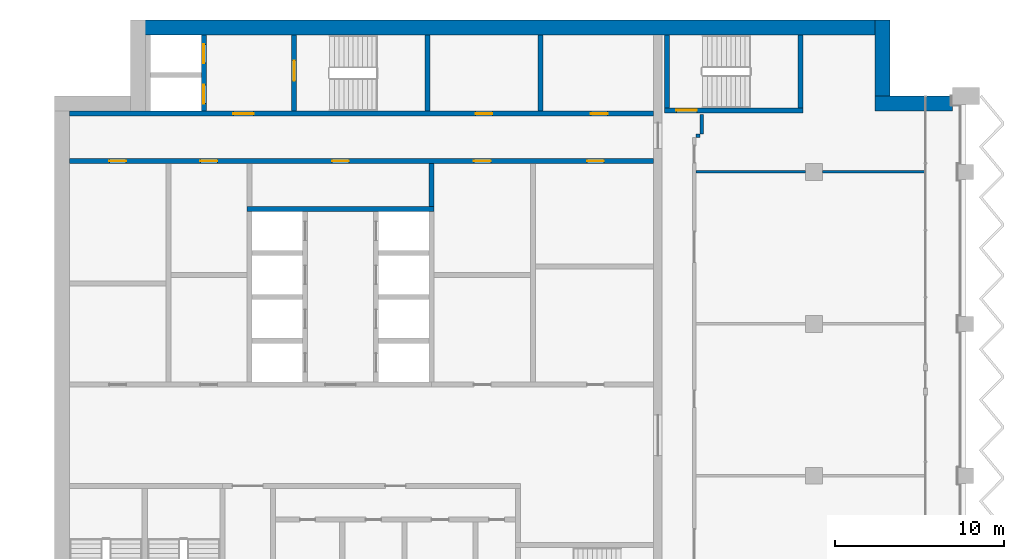
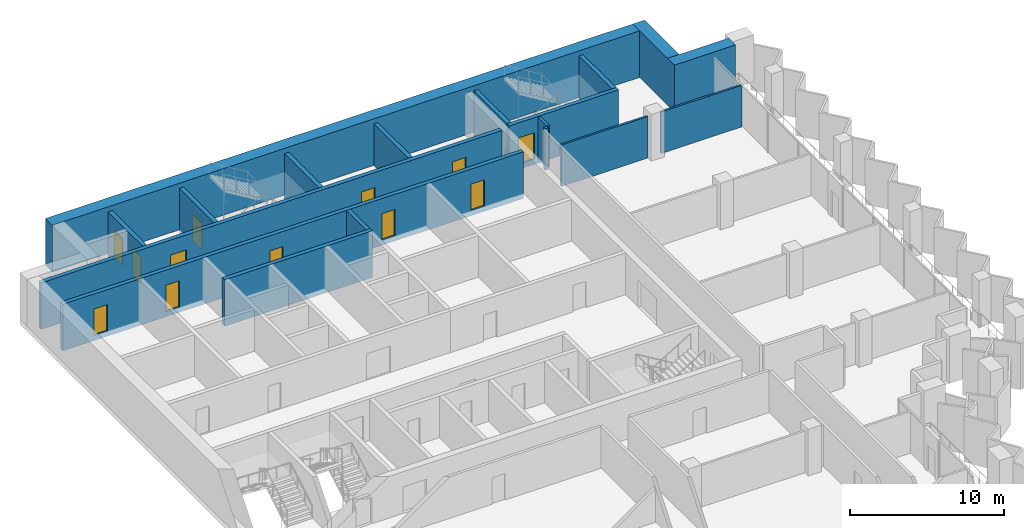
# One storey, part 9 of 15: 18 walls, 12 doors, 12 openings.
"""IFC4 building model written with IfcOpenShell, lengths in metres."""

from ifc_helpers import new_model, si_unit, direction, frame, frame_2d, origin, place, context, subcontext, project, spatial, rectangle, extrude, material, layer, layer_set, type_object, element, fill, save


model = new_model("IFC4")

# Units and contexts
model_context = context("Model", 3, precision=1e-05, world=origin(), true_north=direction((0.0, 1.0)))
body_context = subcontext(model_context, "Body", "Model", "MODEL_VIEW")
ifc_project = project(units=[si_unit("LENGTHUNIT", "METRE"), si_unit("AREAUNIT", "SQUARE_METRE"), si_unit("VOLUMEUNIT", "CUBIC_METRE"), si_unit("PLANEANGLEUNIT", "RADIAN"), si_unit("MASSUNIT", "GRAM", prefix="KILO")], contexts=[model_context])

# Site, building, storey
site_placement = place(None, origin())
site = spatial("IfcSite", under=ifc_project, at=site_placement, CompositionType="ELEMENT")
building_placement = place(site_placement, origin())
building = spatial("IfcBuilding", under=site, at=building_placement, Name="Hunhe Ridgeline Campus", CompositionType="ELEMENT")
storey_placement = place(building_placement, frame((0.0, 0.0, 231.800048828125)))
storey = spatial("IfcBuildingStorey", under=building, at=storey_placement, Name="L59", CompositionType="ELEMENT", Elevation=231.800048828125)

# Walls
ifc_material_1 = material(Name="Masonry concrete blockwork", Category="masonry")
ifc_layer_1 = layer(ifc_material_1, 0.300048828125)
ifc_layer_set_1 = layer_set([ifc_layer_1], Name="Core room partition 300 concrete block")
wall_type_1 = type_object("IfcWallType", Name="Core room partition 300 concrete block", PredefinedType="PARTITIONING", material=ifc_layer_set_1)
wall_1_placement = place(storey_placement, frame((22.35009765625, 87.949951171875, 0.0), z_axis=(0.0, 0.0, 1.0), x_axis=(0.0, 1.0, 0.0)))
element("IfcWall", 1, at=wall_1_placement, inside=storey, type_object=wall_type_1, Name="L59 core partition 44", PredefinedType="PARTITIONING", context=body_context, shape_type="SweptSolid", body=[
    extrude(rectangle(XDim=2.550048828125, YDim=0.300048828125, at=frame_2d((1.27490234375, 0.0))), origin(), (0.0, 0.0, 1.0), 3.300048828125),
])
wall_2_placement = place(storey_placement, frame((28.800048828125, 93.60009765625, 0.0), z_axis=(0.0, 0.0, 1.0), x_axis=(0.0, 1.0, 0.0)))
element("IfcWall", 2, at=wall_2_placement, inside=storey, type_object=wall_type_1, Name="L59 core partition 50", PredefinedType="PARTITIONING", context=body_context, shape_type="SweptSolid", body=[
    extrude(rectangle(XDim=4.5, YDim=0.300048828125, at=frame_2d((2.25, 0.0))), origin(), (0.0, 0.0, 1.0), 3.300048828125),
])
ifc_material_2 = material(Name="Gypsum board partition")
ifc_layer_2 = layer(ifc_material_2, 0.199951171875)
ifc_layer_set_2 = layer_set([ifc_layer_2], Name="Corridor partition 200 gypsum board on steel studs")
wall_type_2 = type_object("IfcWallType", Name="Corridor partition 200 gypsum board on steel studs", PredefinedType="PARTITIONING", material=ifc_layer_set_2)
wall_3_placement = place(storey_placement, frame((38.25, 92.14990234375, 0.0), z_axis=(0.0, 0.0, 1.0), x_axis=(-1.0, 0.0, 0.0)))
element("IfcWall", 3, at=wall_3_placement, inside=storey, type_object=wall_type_2, Name="F-L59-wall-031", PredefinedType="PARTITIONING", context=body_context, shape_type="SweptSolid", body=[
    extrude(rectangle(XDim=0.25, YDim=0.199951171875, at=frame_2d((0.125, 0.0))), origin(), (0.0, 0.0, 1.0), 3.300048828125),
])
wall_4_placement = place(storey_placement, frame((38.35009765625, 93.39599609375, 0.0), z_axis=(0.0, 0.0, 1.0), x_axis=(0.0, -1.0, 0.0)))
element("IfcWall", 4, at=wall_4_placement, inside=storey, type_object=wall_type_2, Name="F-L59-wall-039", PredefinedType="PARTITIONING", context=body_context, shape_type="SweptSolid", body=[
    extrude(rectangle(XDim=1.14599609375, YDim=0.199951171875, at=frame_2d((0.572998046875, 0.0))), origin(), (0.0, 0.0, 1.0), 3.300048828125),
])

# Wall, openings, doors
ifc_material_3 = material(Name="Concrete C50", Category="concrete")
ifc_layer_3 = layer(ifc_material_3, 0.300048828125)
ifc_layer_set_3 = layer_set([ifc_layer_3], Name="Lobby wall 300 reinforced concrete C50")
wall_type_3 = type_object("IfcWallType", Name="Lobby wall 300 reinforced concrete C50", PredefinedType="SOLIDWALL", material=ifc_layer_set_3)
wall_5_placement = place(storey_placement, frame((0.89990234375, 90.64990234375, -0.400146484375), z_axis=(0.0, 0.0, 1.0), x_axis=(1.0, 0.0, 0.0)))
wall_5 = element("IfcWall", 5, at=wall_5_placement, inside=storey, type_object=wall_type_3, Name="L59 core wall 23", PredefinedType="SOLIDWALL", context=body_context, shape_type="SweptSolid", body=[
    extrude(rectangle(XDim=34.60009765625, YDim=0.300048828125, at=frame_2d((17.300048828125, 0.0))), origin(), (0.0, 0.0, 1.0), 3.7001953125),
])
opening_1_placement = place(wall_5_placement, frame((15.550048828125, 0.0, 0.39990234375)))
opening_1 = element("IfcOpeningElement", 6, at=opening_1_placement, cuts=wall_5, Name="Opening CD26", PredefinedType="OPENING", context=body_context, shape_type="SweptSolid", body=[
    extrude(rectangle(XDim=1.0, YDim=2.10009765625, at=frame_2d((0.5, 1.050048828125))), frame((0.0, 0.14990234375, 0.0), z_axis=(0.0, -1.0, 0.0), x_axis=(1.0, 0.0, 0.0)), (0.0, 0.0, 1.0), 0.300048828125),
])
opening_2_placement = place(wall_5_placement, frame((2.35009765625, 0.0, 0.39990234375)))
opening_2 = element("IfcOpeningElement", 7, at=opening_2_placement, cuts=wall_5, Name="Opening CD40", PredefinedType="OPENING", context=body_context, shape_type="SweptSolid", body=[
    extrude(rectangle(XDim=1.0, YDim=2.10009765625, at=frame_2d((0.5, 1.050048828125))), frame((0.0, 0.14990234375, 0.0), z_axis=(0.0, -1.0, 0.0), x_axis=(1.0, 0.0, 0.0)), (0.0, 0.0, 1.0), 0.300048828125),
])
opening_3_placement = place(wall_5_placement, frame((7.75, 0.0, 0.39990234375)))
opening_3 = element("IfcOpeningElement", 8, at=opening_3_placement, cuts=wall_5, Name="Opening CD43", PredefinedType="OPENING", context=body_context, shape_type="SweptSolid", body=[
    extrude(rectangle(XDim=1.0, YDim=2.10009765625, at=frame_2d((0.5, 1.050048828125))), frame((0.0, 0.14990234375, 0.0), z_axis=(0.0, -1.0, 0.0), x_axis=(1.0, 0.0, 0.0)), (0.0, 0.0, 1.0), 0.300048828125),
])
opening_4_placement = place(wall_5_placement, frame((23.949951171875, 0.0, 0.39990234375)))
opening_4 = element("IfcOpeningElement", 9, at=opening_4_placement, cuts=wall_5, Name="Opening CD33", PredefinedType="OPENING", context=body_context, shape_type="SweptSolid", body=[
    extrude(rectangle(XDim=1.0, YDim=2.10009765625, at=frame_2d((0.5, 1.050048828125))), frame((0.0, 0.14990234375, 0.0), z_axis=(0.0, -1.0, 0.0), x_axis=(1.0, 0.0, 0.0)), (0.0, 0.0, 1.0), 0.300048828125),
])
opening_5_placement = place(wall_5_placement, frame((30.64990234375, 0.0, 0.39990234375)))
opening_5 = element("IfcOpeningElement", 10, at=opening_5_placement, cuts=wall_5, Name="Opening CD44", PredefinedType="OPENING", context=body_context, shape_type="SweptSolid", body=[
    extrude(rectangle(XDim=1.0, YDim=2.10009765625, at=frame_2d((0.5, 1.050048828125))), frame((0.0, 0.14990234375, 0.0), z_axis=(0.0, -1.0, 0.0), x_axis=(1.0, 0.0, 0.0)), (0.0, 0.0, 1.0), 0.300048828125),
])
ifc_material_4 = material(Name="Solid core timber door leaf", Category="wood")
door_type_1 = type_object("IfcDoorType", Name="Timber door 1000x2100", OperationType="SINGLE_SWING_LEFT", PredefinedType="DOOR", material=ifc_material_4)
door_1_placement = place(opening_1_placement, frame((1.0, 0.0, 0.0), z_axis=(0.0, 0.0, 1.0), x_axis=(-1.0, 0.0, 0.0)))
door_1 = element("IfcDoor", 11, at=door_1_placement, inside=storey, type_object=door_type_1, Name="L59 door NR-0", OperationType="SINGLE_SWING_RIGHT", OverallHeight=2.10009765625, OverallWidth=1.0, PredefinedType="DOOR", context=body_context, shape_type="SweptSolid", body=[
    extrude(rectangle(XDim=1.0, YDim=2.10009765625, at=frame_2d((0.5, 1.050048828125))), frame((0.0, 0.02490234375, 0.0), z_axis=(0.0, -1.0, 0.0), x_axis=(1.0, 0.0, 0.0)), (0.0, 0.0, 1.0), 0.050048828125),
])
fill(opening_1, door_1)
door_2_placement = place(opening_2_placement, frame((1.0, 0.0, 0.0), z_axis=(0.0, 0.0, 1.0), x_axis=(-1.0, 0.0, 0.0)))
door_2 = element("IfcDoor", 12, at=door_2_placement, inside=storey, type_object=door_type_1, Name="L59 door VD-LR1", OperationType="SINGLE_SWING_RIGHT", OverallHeight=2.10009765625, OverallWidth=1.0, PredefinedType="DOOR", context=body_context, shape_type="SweptSolid", body=[
    extrude(rectangle(XDim=1.0, YDim=2.10009765625, at=frame_2d((0.5, 1.050048828125))), frame((0.0, 0.02490234375, 0.0), z_axis=(0.0, -1.0, 0.0), x_axis=(1.0, 0.0, 0.0)), (0.0, 0.0, 1.0), 0.050048828125),
])
fill(opening_2, door_2)
door_3_placement = place(opening_3_placement, frame((1.0, 0.0, 0.0), z_axis=(0.0, 0.0, 1.0), x_axis=(-1.0, 0.0, 0.0)))
door_3 = element("IfcDoor", 13, at=door_3_placement, inside=storey, type_object=door_type_1, Name="L59 door VD-LR3", OperationType="SINGLE_SWING_RIGHT", OverallHeight=2.10009765625, OverallWidth=1.0, PredefinedType="DOOR", context=body_context, shape_type="SweptSolid", body=[
    extrude(rectangle(XDim=1.0, YDim=2.10009765625, at=frame_2d((0.5, 1.050048828125))), frame((0.0, 0.02490234375, 0.0), z_axis=(0.0, -1.0, 0.0), x_axis=(1.0, 0.0, 0.0)), (0.0, 0.0, 1.0), 0.050048828125),
])
fill(opening_3, door_3)
door_4_placement = place(opening_4_placement, frame((1.0, 0.0, 0.0), z_axis=(0.0, 0.0, 1.0), x_axis=(-1.0, 0.0, 0.0)))
door_4 = element("IfcDoor", 14, at=door_4_placement, inside=storey, type_object=door_type_1, Name="L59 door ES1", OperationType="SINGLE_SWING_LEFT", OverallHeight=2.10009765625, OverallWidth=1.0, PredefinedType="DOOR", context=body_context, shape_type="SweptSolid", body=[
    extrude(rectangle(XDim=1.0, YDim=2.10009765625, at=frame_2d((0.5, 1.050048828125))), frame((0.0, 0.02490234375, 0.0), z_axis=(0.0, -1.0, 0.0), x_axis=(1.0, 0.0, 0.0)), (0.0, 0.0, 1.0), 0.050048828125),
])
fill(opening_4, door_4)
door_5_placement = place(opening_5_placement, frame((1.0, 0.0, 0.0), z_axis=(0.0, 0.0, 1.0), x_axis=(-1.0, 0.0, 0.0)))
door_5 = element("IfcDoor", 15, at=door_5_placement, inside=storey, type_object=door_type_1, Name="L59 door ES3", OperationType="SINGLE_SWING_LEFT", OverallHeight=2.10009765625, OverallWidth=1.0, PredefinedType="DOOR", context=body_context, shape_type="SweptSolid", body=[
    extrude(rectangle(XDim=1.0, YDim=2.10009765625, at=frame_2d((0.5, 1.050048828125))), frame((0.0, 0.02490234375, 0.0), z_axis=(0.0, -1.0, 0.0), x_axis=(1.0, 0.0, 0.0)), (0.0, 0.0, 1.0), 0.050048828125),
])
fill(opening_5, door_5)

# Walls
ifc_layer_4 = layer(ifc_material_2, 0.14990234375)
ifc_layer_set_4 = layer_set([ifc_layer_4], Name="Room partition 150 gypsum board on steel studs")
wall_type_4 = type_object("IfcWallType", Name="Room partition 150 gypsum board on steel studs", PredefinedType="PARTITIONING", material=ifc_layer_set_4)
wall_6_placement = place(storey_placement, frame((38.0, 90.0, 0.0), z_axis=(0.0, 0.0, 1.0), x_axis=(1.0, 0.0, 0.0)))
element("IfcWall", 16, at=wall_6_placement, inside=storey, type_object=wall_type_4, Name="F-L59-wall-029", PredefinedType="PARTITIONING", context=body_context, shape_type="SweptSolid", body=[
    extrude(rectangle(XDim=6.5, YDim=0.14990234375, at=frame_2d((3.25, 0.0))), origin(), (0.0, 0.0, 1.0), 3.300048828125),
])
wall_7_placement = place(storey_placement, frame((45.5, 90.0, 0.0), z_axis=(0.0, 0.0, 1.0), x_axis=(1.0, 0.0, 0.0)))
element("IfcWall", 17, at=wall_7_placement, inside=storey, type_object=wall_type_4, Name="F-L59-wall-030", PredefinedType="PARTITIONING", context=body_context, shape_type="SweptSolid", body=[
    extrude(rectangle(XDim=6.044921875, YDim=0.14990234375, at=frame_2d((3.0224609375, 0.0))), origin(), (0.0, 0.0, 1.0), 3.300048828125),
])
ifc_layer_5 = layer(ifc_material_3, 0.300048828125)
ifc_layer_set_5 = layer_set([ifc_layer_5], Name="Shaft wall 300 reinforced concrete C50")
wall_type_5 = type_object("IfcWallType", Name="Shaft wall 300 reinforced concrete C50", PredefinedType="SOLIDWALL", material=ifc_layer_set_5)
wall_8_placement = place(storey_placement, frame((11.39990234375, 87.800048828125, -0.400146484375), z_axis=(0.0, 0.0, 1.0), x_axis=(1.0, 0.0, 0.0)))
element("IfcWall", 18, at=wall_8_placement, inside=storey, type_object=wall_type_5, Name="L59 core wall 22", PredefinedType="SOLIDWALL", context=body_context, shape_type="SweptSolid", body=[
    extrude(rectangle(XDim=11.10009765625, YDim=0.300048828125, at=frame_2d((5.550048828125, 0.0))), origin(), (0.0, 0.0, 1.0), 3.7001953125),
])

# Wall, openings, doors
wall_9_placement = place(storey_placement, frame((0.89990234375, 93.449951171875, -0.400146484375), z_axis=(0.0, 0.0, 1.0), x_axis=(1.0, 0.0, 0.0)))
wall_9 = element("IfcWall", 19, at=wall_9_placement, inside=storey, type_object=wall_type_5, Name="L59 core wall 24", PredefinedType="SOLIDWALL", context=body_context, shape_type="SweptSolid", body=[
    extrude(rectangle(XDim=34.60009765625, YDim=0.300048828125, at=frame_2d((17.300048828125, 0.0))), origin(), (0.0, 0.0, 1.0), 3.7001953125),
])
opening_6_placement = place(wall_9_placement, frame((9.699951171875, 0.0, 0.39990234375)))
opening_6 = element("IfcOpeningElement", 20, at=opening_6_placement, cuts=wall_9, Name="Opening CD3", PredefinedType="OPENING", context=body_context, shape_type="SweptSolid", body=[
    extrude(rectangle(XDim=1.199951171875, YDim=2.10009765625, at=frame_2d((0.60009765625, 1.050048828125))), frame((0.0, 0.14990234375, 0.0), z_axis=(0.0, -1.0, 0.0), x_axis=(1.0, 0.0, 0.0)), (0.0, 0.0, 1.0), 0.300048828125),
])
opening_7_placement = place(wall_9_placement, frame((24.050048828125, 0.0, 0.39990234375)))
opening_7 = element("IfcOpeningElement", 21, at=opening_7_placement, cuts=wall_9, Name="Opening CD34", PredefinedType="OPENING", context=body_context, shape_type="SweptSolid", body=[
    extrude(rectangle(XDim=1.0, YDim=2.10009765625, at=frame_2d((0.5, 1.050048828125))), frame((0.0, 0.14990234375, 0.0), z_axis=(0.0, -1.0, 0.0), x_axis=(1.0, 0.0, 0.0)), (0.0, 0.0, 1.0), 0.300048828125),
])
opening_8_placement = place(wall_9_placement, frame((30.875, 0.0, 0.39990234375)))
opening_8 = element("IfcOpeningElement", 22, at=opening_8_placement, cuts=wall_9, Name="Opening CD35", PredefinedType="OPENING", context=body_context, shape_type="SweptSolid", body=[
    extrude(rectangle(XDim=1.0, YDim=2.10009765625, at=frame_2d((0.5, 1.050048828125))), frame((0.0, 0.14990234375, 0.0), z_axis=(0.0, -1.0, 0.0), x_axis=(1.0, 0.0, 0.0)), (0.0, 0.0, 1.0), 0.300048828125),
])
ifc_material_5 = material(Name="Hollow metal fire door leaf")
door_type_2 = type_object("IfcDoorType", Name="Lobby door 1200x2100 FD60", OperationType="SINGLE_SWING_LEFT", PredefinedType="DOOR", material=ifc_material_5)
door_6_placement = place(opening_6_placement, frame((1.199951171875, 0.0, 0.0), z_axis=(0.0, 0.0, 1.0), x_axis=(-1.0, 0.0, 0.0)))
door_6 = element("IfcDoor", 23, at=door_6_placement, inside=storey, type_object=door_type_2, Name="L59 door FF-C1", OperationType="SINGLE_SWING_RIGHT", OverallHeight=2.10009765625, OverallWidth=1.199951171875, PredefinedType="DOOR", context=body_context, shape_type="SweptSolid", body=[
    extrude(rectangle(XDim=1.199951171875, YDim=2.10009765625, at=frame_2d((0.60009765625, 1.050048828125))), frame((0.0, 0.02490234375, 0.0), z_axis=(0.0, -1.0, 0.0), x_axis=(1.0, 0.0, 0.0)), (0.0, 0.0, 1.0), 0.050048828125),
])
fill(opening_6, door_6)
door_7_placement = place(opening_7_placement, origin())
door_7 = element("IfcDoor", 24, at=door_7_placement, inside=storey, type_object=door_type_1, Name="L59 door NB0", OperationType="SINGLE_SWING_LEFT", OverallHeight=2.10009765625, OverallWidth=1.0, PredefinedType="DOOR", context=body_context, shape_type="SweptSolid", body=[
    extrude(rectangle(XDim=1.0, YDim=2.10009765625, at=frame_2d((0.5, 1.050048828125))), frame((0.0, 0.02490234375, 0.0), z_axis=(0.0, -1.0, 0.0), x_axis=(1.0, 0.0, 0.0)), (0.0, 0.0, 1.0), 0.050048828125),
])
fill(opening_7, door_7)
door_8_placement = place(opening_8_placement, origin())
door_8 = element("IfcDoor", 25, at=door_8_placement, inside=storey, type_object=door_type_1, Name="L59 door NB1", OperationType="SINGLE_SWING_RIGHT", OverallHeight=2.10009765625, OverallWidth=1.0, PredefinedType="DOOR", context=body_context, shape_type="SweptSolid", body=[
    extrude(rectangle(XDim=1.0, YDim=2.10009765625, at=frame_2d((0.5, 1.050048828125))), frame((0.0, 0.02490234375, 0.0), z_axis=(0.0, -1.0, 0.0), x_axis=(1.0, 0.0, 0.0)), (0.0, 0.0, 1.0), 0.050048828125),
])
fill(opening_8, door_8)

wall_10_placement = place(storey_placement, frame((8.85009765625, 93.60009765625, -0.400146484375), z_axis=(0.0, 0.0, 1.0), x_axis=(0.0, 1.0, 0.0)))
wall_10 = element("IfcWall", 26, at=wall_10_placement, inside=storey, type_object=wall_type_5, Name="L59 core wall 31", PredefinedType="SOLIDWALL", context=body_context, shape_type="SweptSolid", body=[
    extrude(rectangle(XDim=4.5, YDim=0.300048828125, at=frame_2d((2.25, 0.0))), origin(), (0.0, 0.0, 1.0), 3.7001953125),
])
opening_9_placement = place(wall_10_placement, frame((0.449951171875, 0.0, 0.39990234375)))
opening_9 = element("IfcOpeningElement", 27, at=opening_9_placement, cuts=wall_10, Name="Opening LD-FF1", PredefinedType="OPENING", context=body_context, shape_type="SweptSolid", body=[
    extrude(rectangle(XDim=1.10009765625, YDim=2.10009765625, at=frame_2d((0.550048828125, 1.050048828125))), frame((0.0, 0.14990234375, 0.0), z_axis=(0.0, -1.0, 0.0), x_axis=(1.0, 0.0, 0.0)), (0.0, 0.0, 1.0), 0.300048828125),
])
opening_10_placement = place(wall_10_placement, frame((2.85009765625, 0.0, 0.39990234375)))
opening_10 = element("IfcOpeningElement", 28, at=opening_10_placement, cuts=wall_10, Name="Opening LD-FF2", PredefinedType="OPENING", context=body_context, shape_type="SweptSolid", body=[
    extrude(rectangle(XDim=1.10009765625, YDim=2.10009765625, at=frame_2d((0.550048828125, 1.050048828125))), frame((0.0, 0.14990234375, 0.0), z_axis=(0.0, -1.0, 0.0), x_axis=(1.0, 0.0, 0.0)), (0.0, 0.0, 1.0), 0.300048828125),
])
ifc_material_6 = material(Name="Stainless steel sliding leaves", Category="steel")
door_type_3 = type_object("IfcDoorType", Name="Landing door 1100x2100 FD120", OperationType="SLIDING_TO_LEFT", PredefinedType="DOOR", material=ifc_material_6)
door_9_placement = place(opening_9_placement, origin())
door_9 = element("IfcDoor", 29, at=door_9_placement, inside=storey, type_object=door_type_3, Name="L59 landing door FF1", OperationType="SLIDING_TO_RIGHT", OverallHeight=2.10009765625, OverallWidth=1.10009765625, PredefinedType="DOOR", context=body_context, shape_type="SweptSolid", body=[
    extrude(rectangle(XDim=1.10009765625, YDim=2.10009765625, at=frame_2d((0.550048828125, 1.050048828125))), frame((0.0, 0.02490234375, 0.0), z_axis=(0.0, -1.0, 0.0), x_axis=(1.0, 0.0, 0.0)), (0.0, 0.0, 1.0), 0.050048828125),
])
fill(opening_9, door_9)
door_10_placement = place(opening_10_placement, origin())
door_10 = element("IfcDoor", 30, at=door_10_placement, inside=storey, type_object=door_type_3, Name="L59 landing door FF2", OperationType="SLIDING_TO_LEFT", OverallHeight=2.10009765625, OverallWidth=1.10009765625, PredefinedType="DOOR", context=body_context, shape_type="SweptSolid", body=[
    extrude(rectangle(XDim=1.10009765625, YDim=2.10009765625, at=frame_2d((0.550048828125, 1.050048828125))), frame((0.0, 0.02490234375, 0.0), z_axis=(0.0, -1.0, 0.0), x_axis=(1.0, 0.0, 0.0)), (0.0, 0.0, 1.0), 0.050048828125),
])
fill(opening_10, door_10)

# Walls
ifc_material_7 = material(Name="Concrete C60", Category="concrete")
ifc_layer_6 = layer(ifc_material_7, 0.89990234375)
ifc_layer_set_6 = layer_set([ifc_layer_6], Name="Spine wall 900 Concrete C60")
wall_type_6 = type_object("IfcWallType", Name="Spine wall 900 Concrete C60", PredefinedType="SHEAR", material=ifc_layer_set_6)
wall_11_placement = place(storey_placement, frame((53.199951171875, 94.050048828125, 0.0), z_axis=(0.0, 0.0, 1.0), x_axis=(-1.0, 0.0, 0.0)))
element("IfcWall", 31, at=wall_11_placement, inside=storey, type_object=wall_type_6, Name="Spine wall SW3-2 L59", PredefinedType="SHEAR", context=body_context, shape_type="SweptSolid", body=[
    extrude(rectangle(XDim=4.599853515625, YDim=0.89990234375, at=frame_2d((2.2998046875, 0.0))), origin(), (0.0, 0.0, 1.0), 3.699951171875),
])
wall_12_placement = place(storey_placement, frame((49.050048828125, 93.60009765625, 0.0), z_axis=(0.0, 0.0, 1.0), x_axis=(0.0, 1.0, 0.0)))
element("IfcWall", 32, at=wall_12_placement, inside=storey, type_object=wall_type_6, Name="Spine wall SW3-3 L59", PredefinedType="SHEAR", context=body_context, shape_type="SweptSolid", body=[
    extrude(rectangle(XDim=5.39990234375, YDim=0.89990234375, at=frame_2d((2.699951171875, 0.0))), origin(), (0.0, 0.0, 1.0), 3.699951171875),
])
wall_13_placement = place(storey_placement, frame((49.5, 98.550048828125, 0.0), z_axis=(0.0, 0.0, 1.0), x_axis=(-1.0, 0.0, 0.0)))
element("IfcWall", 33, at=wall_13_placement, inside=storey, type_object=wall_type_6, Name="Spine wall SW3-4 L59", PredefinedType="SHEAR", context=body_context, shape_type="SweptSolid", body=[
    extrude(rectangle(XDim=45.0, YDim=0.89990234375, at=frame_2d((22.5, 0.0))), origin(), (0.0, 0.0, 1.0), 3.699951171875),
])

# Wall, opening, door
ifc_layer_7 = layer(ifc_material_3, 0.300048828125)
ifc_layer_set_7 = layer_set([ifc_layer_7], Name="Stair wall 300 reinforced concrete C50")
wall_type_7 = type_object("IfcWallType", Name="Stair wall 300 reinforced concrete C50", PredefinedType="SOLIDWALL", material=ifc_layer_set_7)
wall_14_placement = place(storey_placement, frame((36.14990234375, 93.64990234375, -0.400146484375), z_axis=(0.0, 0.0, 1.0), x_axis=(1.0, 0.0, 0.0)))
wall_14 = element("IfcWall", 34, at=wall_14_placement, inside=storey, type_object=wall_type_7, Name="L59 core wall 25", PredefinedType="SOLIDWALL", context=body_context, shape_type="SweptSolid", body=[
    extrude(rectangle(XDim=8.2001953125, YDim=0.300048828125, at=frame_2d((4.10009765625, 0.0))), origin(), (0.0, 0.0, 1.0), 3.7001953125),
])
opening_11_placement = place(wall_14_placement, frame((0.699951171875, 0.0, 0.39990234375)))
opening_11 = element("IfcOpeningElement", 35, at=opening_11_placement, cuts=wall_14, Name="Opening CD17", PredefinedType="OPENING", context=body_context, shape_type="SweptSolid", body=[
    extrude(rectangle(XDim=1.199951171875, YDim=2.10009765625, at=frame_2d((0.60009765625, 1.050048828125))), frame((0.0, 0.14990234375, 0.0), z_axis=(0.0, -1.0, 0.0), x_axis=(1.0, 0.0, 0.0)), (0.0, 0.0, 1.0), 0.300048828125),
])
door_type_4 = type_object("IfcDoorType", Name="Stair door 1200x2100 FD60", OperationType="SINGLE_SWING_LEFT", PredefinedType="DOOR", material=ifc_material_5)
door_11_placement = place(opening_11_placement, frame((1.199951171875, 0.0, 0.0), z_axis=(0.0, 0.0, 1.0), x_axis=(-1.0, 0.0, 0.0)))
door_11 = element("IfcDoor", 36, at=door_11_placement, inside=storey, type_object=door_type_4, Name="L59 door E1", OperationType="SINGLE_SWING_LEFT", OverallHeight=2.10009765625, OverallWidth=1.199951171875, PredefinedType="DOOR", context=body_context, shape_type="SweptSolid", body=[
    extrude(rectangle(XDim=1.199951171875, YDim=2.10009765625, at=frame_2d((0.60009765625, 1.050048828125))), frame((0.0, 0.02490234375, 0.0), z_axis=(0.0, -1.0, 0.0), x_axis=(1.0, 0.0, 0.0)), (0.0, 0.0, 1.0), 0.050048828125),
])
fill(opening_11, door_11)

wall_15_placement = place(storey_placement, frame((14.199951171875, 93.60009765625, -0.400146484375), z_axis=(0.0, 0.0, 1.0), x_axis=(0.0, 1.0, 0.0)))
wall_15 = element("IfcWall", 37, at=wall_15_placement, inside=storey, type_object=wall_type_7, Name="L59 core wall 36", PredefinedType="SOLIDWALL", context=body_context, shape_type="SweptSolid", body=[
    extrude(rectangle(XDim=4.5, YDim=0.300048828125, at=frame_2d((2.25, 0.0))), origin(), (0.0, 0.0, 1.0), 3.7001953125),
])
opening_12_placement = place(wall_15_placement, frame((1.800048828125, 0.0, 0.39990234375)))
opening_12 = element("IfcOpeningElement", 38, at=opening_12_placement, cuts=wall_15, Name="Opening CD16", PredefinedType="OPENING", context=body_context, shape_type="SweptSolid", body=[
    extrude(rectangle(XDim=1.199951171875, YDim=2.10009765625, at=frame_2d((0.60009765625, 1.050048828125))), frame((0.0, 0.14990234375, 0.0), z_axis=(0.0, -1.0, 0.0), x_axis=(1.0, 0.0, 0.0)), (0.0, 0.0, 1.0), 0.300048828125),
])
door_12_placement = place(opening_12_placement, origin())
door_12 = element("IfcDoor", 39, at=door_12_placement, inside=storey, type_object=door_type_4, Name="L59 door S1-FF", OperationType="SINGLE_SWING_RIGHT", OverallHeight=2.10009765625, OverallWidth=1.199951171875, PredefinedType="DOOR", context=body_context, shape_type="SweptSolid", body=[
    extrude(rectangle(XDim=1.199951171875, YDim=2.10009765625, at=frame_2d((0.60009765625, 1.050048828125))), frame((0.0, 0.02490234375, 0.0), z_axis=(0.0, -1.0, 0.0), x_axis=(1.0, 0.0, 0.0)), (0.0, 0.0, 1.0), 0.050048828125),
])
fill(opening_12, door_12)

# Walls
wall_16_placement = place(storey_placement, frame((22.10009765625, 93.60009765625, -0.400146484375), z_axis=(0.0, 0.0, 1.0), x_axis=(0.0, 1.0, 0.0)))
element("IfcWall", 40, at=wall_16_placement, inside=storey, type_object=wall_type_7, Name="L59 core wall 42", PredefinedType="SOLIDWALL", context=body_context, shape_type="SweptSolid", body=[
    extrude(rectangle(XDim=4.5, YDim=0.300048828125, at=frame_2d((2.25, 0.0))), origin(), (0.0, 0.0, 1.0), 3.7001953125),
])
for number, where, z_axis, x_axis, name in (
    (41, (36.300048828125, 93.800048828125, -0.400146484375), (0.0, 0.0, 1.0), (0.0, 1.0, 0.0), "L59 core wall 52"),
    (42, (44.199951171875, 93.800048828125, -0.400146484375), (0.0, 0.0, 1.0), (0.0, 1.0, 0.0), "L59 core wall 53"),
):
    element("IfcWall", number, at=place(storey_placement, frame(where, z_axis=z_axis, x_axis=x_axis)), inside=storey, type_object=wall_type_7, Name=name, PredefinedType="SOLIDWALL", context=body_context, shape_type="SweptSolid", body=[
        extrude(rectangle(XDim=4.300048828125, YDim=0.300048828125, at=frame_2d((2.14990234375, 0.0))), origin(), (0.0, 0.0, 1.0), 3.7001953125),
    ])

save(model, "model.ifc")
